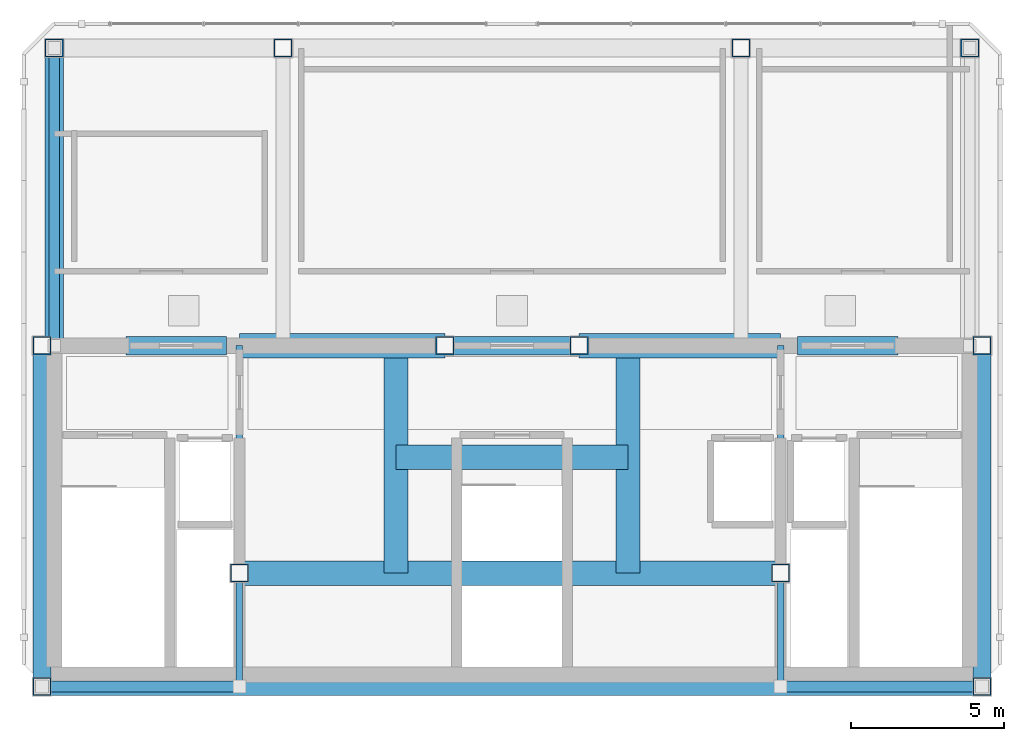
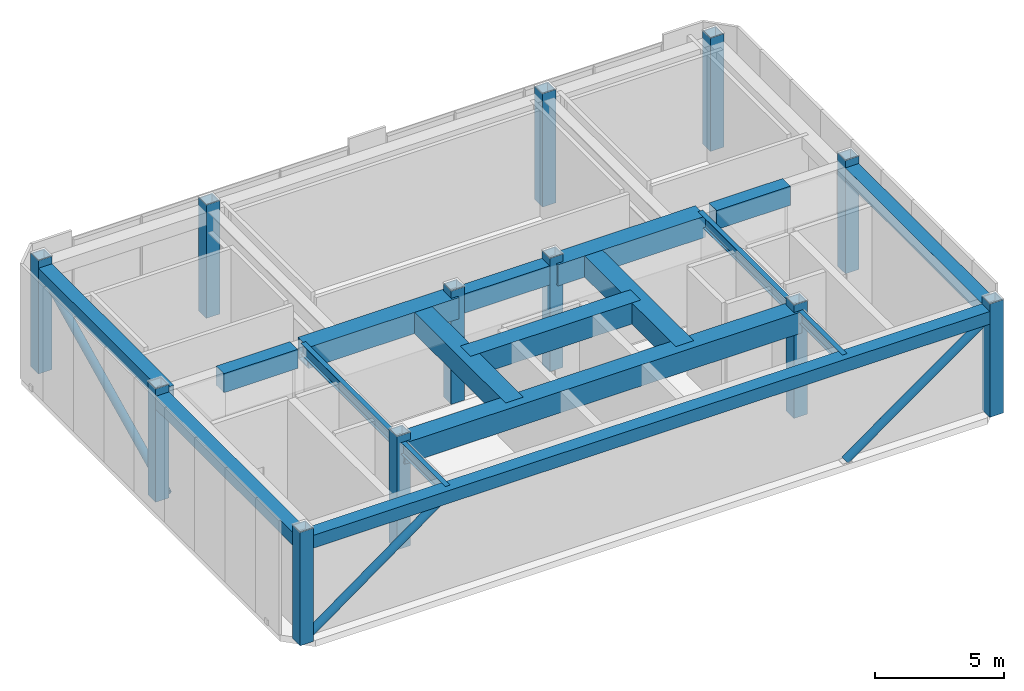
# One storey, part 1 of 9: 17 beams, 12 columns, 3 members.
"""IFC4 building model written with IfcOpenShell, lengths in metres."""

from ifc_helpers import new_model, si_unit, direction, frame, origin, origin_2d, place, context, subcontext, project, spatial, rectangle, hollow_rectangle, hollow_circle, i_section, extrude, material, material_profile, profile_set, type_object, element, save


model = new_model("IFC4")

# Units and contexts
model_context = context("Model", 3, precision=1e-05, world=origin(), true_north=direction((0.0, 1.0)))
body_context = subcontext(model_context, "Body", "Model", "MODEL_VIEW")
ifc_project = project(units=[si_unit("LENGTHUNIT", "METRE"), si_unit("AREAUNIT", "SQUARE_METRE"), si_unit("VOLUMEUNIT", "CUBIC_METRE"), si_unit("PLANEANGLEUNIT", "RADIAN"), si_unit("MASSUNIT", "GRAM", prefix="KILO")], contexts=[model_context])

# Site, building, storey
site_placement = place(None, origin())
site = spatial("IfcSite", under=ifc_project, at=site_placement, CompositionType="ELEMENT")
building_placement = place(site_placement, origin())
building = spatial("IfcBuilding", under=site, at=building_placement, Name="Ventersveld Concourse Tower", CompositionType="ELEMENT")
storey_placement = place(building_placement, frame((0.0, 0.0, 388.25)))
storey = spatial("IfcBuildingStorey", under=building, at=storey_placement, Name="L94", CompositionType="ELEMENT", Elevation=388.25)

# Columns
ifc_material_1 = material(Name="Structural steel S355ML", Category="steel")
ifc_material_profile_1 = material_profile(ifc_material_1, hollow_rectangle(XDim=0.60009765625, YDim=0.60009765625, WallThickness=0.0400390625, at=origin_2d()), Name="BOX 600x600x40")
ifc_profile_set_1 = profile_set([ifc_material_profile_1], Name="Structural steel S355ML")
column_type = type_object("IfcColumnType", Name="CF-POST-600", PredefinedType="USERDEFINED", material=ifc_profile_set_1)
for number, where, z_axis, x_axis, name in (
    (1, (13.35009765625, 0.280029296875, 0.0), (0.0, 0.0, 1.0), (1.0, 0.0, 0.0), "L94 Core Spine Column CC-SW"),
    (2, (44.14990234375, 0.280029296875, 0.0), (0.0, 0.0, 1.0), (1.0, 0.0, 0.0), "L94 Core Spine Column CC-SE"),
    (3, (13.35009765625, 11.449951171875, 0.0), (0.0, 0.0, 1.0), (1.0, 0.0, 0.0), "L94 Core Spine Column CC-NW"),
    (4, (44.14990234375, 11.449951171875, 0.0), (0.0, 0.0, 1.0), (1.0, 0.0, 0.0), "L94 Core Spine Column CC-NE"),
    (5, (19.820068359375, 4.0, 0.0), (0.0, 0.0, 1.0), (1.0, 0.0, 0.0), "L94 Core Spine Column CM-1"),
    (6, (37.550048828125, 4.0, 0.0), (0.0, 0.0, 1.0), (1.0, 0.0, 0.0), "L94 Core Spine Column CM-2"),
    (7, (26.550048828125, 11.449951171875, 0.0), (0.0, 0.0, 1.0), (1.0, 0.0, 0.0), "L94 Core Spine Column CM-3"),
    (8, (30.949951171875, 11.449951171875, 0.0), (0.0, 0.0, 1.0), (1.0, 0.0, 0.0), "L94 Core Spine Column CM-4"),
    (9, (13.75, 21.199951171875, 0.0), (0.0, 0.0, 1.0), (1.0, 0.0, 0.0), "L94 Crown Frame Structural Post CF-NW"),
    (10, (21.25, 21.199951171875, 0.0), (0.0, 0.0, 1.0), (1.0, 0.0, 0.0), "L94 Crown Frame Structural Post CF-NCW"),
    (11, (36.25, 21.199951171875, 0.0), (0.0, 0.0, 1.0), (1.0, 0.0, 0.0), "L94 Crown Frame Structural Post CF-NCE"),
    (12, (43.75, 21.199951171875, 0.0), (0.0, 0.0, 1.0), (1.0, 0.0, 0.0), "L94 Crown Frame Structural Post CF-NE"),
):
    element("IfcColumn", number, at=place(storey_placement, frame(where, z_axis=z_axis, x_axis=x_axis)), inside=storey, type_object=column_type, Name=name, ObjectType="CROWN_FRAME", PredefinedType="USERDEFINED", context=body_context, shape_type="SweptSolid", body=[
        extrude(hollow_rectangle(XDim=0.60009765625, YDim=0.60009765625, WallThickness=0.0400390625, at=origin_2d()), origin(), (0.0, 0.0, 1.0), 5.35009765625),
    ])

# Beams
ifc_material_2 = material(Name="Concrete C50/60", Category="concrete")
ifc_material_profile_2 = material_profile(ifc_material_2, rectangle(XDim=0.60009765625, YDim=0.89990234375, at=origin_2d()), Name="RC 600x900")
ifc_profile_set_2 = profile_set([ifc_material_profile_2], Name="Concrete C50/60")
beam_type_1 = type_object("IfcBeamType", Name="CB-RC600x900U", PredefinedType="LINTEL", material=ifc_profile_set_2)
beam_1_placement = place(storey_placement, frame((16.10009765625, 11.449951171875, 4.550048828125), z_axis=(1.0, 0.0, 0.0), x_axis=(0.0, 1.0, 0.0)))
element("IfcBeam", 13, at=beam_1_placement, inside=storey, type_object=beam_type_1, Name="L94 Core Coupling Lintel Beam 1", PredefinedType="LINTEL", context=body_context, shape_type="SweptSolid", body=[
    extrude(rectangle(XDim=0.60009765625, YDim=0.89990234375, at=origin_2d()), origin(), (0.0, 0.0, 1.0), 3.2998046875),
])
beam_2_placement = place(storey_placement, frame((26.5, 11.449951171875, 4.550048828125), z_axis=(1.0, 0.0, 0.0), x_axis=(0.0, 1.0, 0.0)))
element("IfcBeam", 14, at=beam_2_placement, inside=storey, type_object=beam_type_1, Name="L94 Core Coupling Lintel Beam 2", PredefinedType="LINTEL", context=body_context, shape_type="SweptSolid", body=[
    extrude(rectangle(XDim=0.60009765625, YDim=0.89990234375, at=origin_2d()), origin(), (0.0, 0.0, 1.0), 4.5),
])
beam_3_placement = place(storey_placement, frame((38.10009765625, 11.449951171875, 4.550048828125), z_axis=(1.0, 0.0, 0.0), x_axis=(0.0, 1.0, 0.0)))
element("IfcBeam", 15, at=beam_3_placement, inside=storey, type_object=beam_type_1, Name="L94 Core Coupling Lintel Beam 3", PredefinedType="LINTEL", context=body_context, shape_type="SweptSolid", body=[
    extrude(rectangle(XDim=0.60009765625, YDim=0.89990234375, at=origin_2d()), origin(), (0.0, 0.0, 1.0), 3.2998046875),
])

# Members
ifc_material_profile_3 = material_profile(ifc_material_1, hollow_circle(Radius=0.177734375, WallThickness=0.01611328125, at=origin_2d()), Name="CHS 355.6x16")
ifc_profile_set_3 = profile_set([ifc_material_profile_3], Name="Structural steel S355ML")
member_type = type_object("IfcMemberType", Name="CF-BR-355", PredefinedType="BRACE", material=ifc_profile_set_3)
member_1_placement = place(storey_placement, frame((13.35009765625, 0.280029296875, 0.0), z_axis=(0.809062047984, 0.0, 0.587723236321), x_axis=(0.0, 1.0, 0.0)))
element("IfcMember", 16, at=member_1_placement, inside=storey, type_object=member_type, Name="L94 CROWN FRAME Wind Brace 1", PredefinedType="BRACE", context=body_context, shape_type="SweptSolid", body=[
    extrude(hollow_circle(Radius=0.177734375, WallThickness=0.01611328125, at=origin_2d()), origin(), (0.0, 0.0, 1.0), 7.996826171875),
])
member_2_placement = place(storey_placement, frame((37.550048828125, 0.280029296875, 0.0), z_axis=(0.814563311204, 0.0, 0.580074660747), x_axis=(0.0, 1.0, 0.0)))
element("IfcMember", 17, at=member_2_placement, inside=storey, type_object=member_type, Name="L94 CROWN FRAME Wind Brace 2", PredefinedType="BRACE", context=body_context, shape_type="SweptSolid", body=[
    extrude(hollow_circle(Radius=0.177734375, WallThickness=0.01611328125, at=origin_2d()), origin(), (0.0, 0.0, 1.0), 8.102294921875),
])
member_3_placement = place(storey_placement, frame((13.75, 11.449951171875, 0.0), z_axis=(0.0, 0.900802714181, 0.434228592015), x_axis=(-1.0, 0.0, 0.0)))
element("IfcMember", 18, at=member_3_placement, inside=storey, type_object=member_type, Name="L94 CROWN FRAME Wind Brace 3", PredefinedType="BRACE", context=body_context, shape_type="SweptSolid", body=[
    extrude(hollow_circle(Radius=0.177734375, WallThickness=0.01611328125, at=origin_2d()), origin(), (0.0, 0.0, 1.0), 10.82373046875),
])

# Beams
ifc_material_3 = material(Name="Structural steel S355J2", Category="steel")
ifc_material_profile_4 = material_profile(ifc_material_3, i_section(OverallWidth=0.2119140625, OverallDepth=0.54443359375, WebThickness=0.0126953125, FlangeThickness=0.021240234375, FilletRadius=0.0126953125, at=origin_2d()), Name="UB 533x210x122")
ifc_profile_set_4 = profile_set([ifc_material_profile_4], Name="Structural steel S355J2")
beam_type_2 = type_object("IfcBeamType", Name="GRD-UB533H", PredefinedType="T_BEAM", material=ifc_profile_set_4)
beam_4_placement = place(storey_placement, frame((19.820068359375, 0.280029296875, 4.727783203125), z_axis=(0.0, 1.0, 0.0), x_axis=(-1.0, 0.0, 0.0)))
element("IfcBeam", 19, at=beam_4_placement, inside=storey, type_object=beam_type_2, Name="L94 Core Spine N-S Tie Beam W1", PredefinedType="T_BEAM", context=body_context, shape_type="SweptSolid", body=[
    extrude(i_section(OverallWidth=0.2119140625, OverallDepth=0.54443359375, WebThickness=0.0126953125, FlangeThickness=0.021240234375, FilletRadius=0.0126953125, at=origin_2d()), origin(), (0.0, 0.0, 1.0), 3.719970703125),
])
beam_5_placement = place(storey_placement, frame((19.820068359375, 4.0, 4.727783203125), z_axis=(0.0, 1.0, 0.0), x_axis=(-1.0, 0.0, 0.0)))
element("IfcBeam", 20, at=beam_5_placement, inside=storey, type_object=beam_type_2, Name="L94 Core Spine N-S Tie Beam W2", PredefinedType="T_BEAM", context=body_context, shape_type="SweptSolid", body=[
    extrude(i_section(OverallWidth=0.2119140625, OverallDepth=0.54443359375, WebThickness=0.0126953125, FlangeThickness=0.021240234375, FilletRadius=0.0126953125, at=origin_2d()), origin(), (0.0, 0.0, 1.0), 7.449951171875),
])
beam_6_placement = place(storey_placement, frame((37.550048828125, 0.280029296875, 4.727783203125), z_axis=(0.0, 1.0, 0.0), x_axis=(-1.0, 0.0, 0.0)))
element("IfcBeam", 21, at=beam_6_placement, inside=storey, type_object=beam_type_2, Name="L94 Core Spine N-S Tie Beam E1", PredefinedType="T_BEAM", context=body_context, shape_type="SweptSolid", body=[
    extrude(i_section(OverallWidth=0.2119140625, OverallDepth=0.54443359375, WebThickness=0.0126953125, FlangeThickness=0.021240234375, FilletRadius=0.0126953125, at=origin_2d()), origin(), (0.0, 0.0, 1.0), 3.719970703125),
])
beam_7_placement = place(storey_placement, frame((37.550048828125, 4.0, 4.727783203125), z_axis=(0.0, 1.0, 0.0), x_axis=(-1.0, 0.0, 0.0)))
element("IfcBeam", 22, at=beam_7_placement, inside=storey, type_object=beam_type_2, Name="L94 Core Spine N-S Tie Beam E2", PredefinedType="T_BEAM", context=body_context, shape_type="SweptSolid", body=[
    extrude(i_section(OverallWidth=0.2119140625, OverallDepth=0.54443359375, WebThickness=0.0126953125, FlangeThickness=0.021240234375, FilletRadius=0.0126953125, at=origin_2d()), origin(), (0.0, 0.0, 1.0), 7.449951171875),
])
ifc_material_profile_5 = material_profile(ifc_material_1, hollow_rectangle(XDim=0.60009765625, YDim=0.60009765625, WallThickness=0.0400390625, at=origin_2d()), Name="BOX 600x600x40")
ifc_profile_set_5 = profile_set([ifc_material_profile_5], Name="Structural steel S355ML")
beam_type_3 = type_object("IfcBeamType", Name="SPD-BOX600", PredefinedType="SPANDREL", material=ifc_profile_set_5)
beam_8_placement = place(storey_placement, frame((13.35009765625, 0.280029296875, 4.699951171875), z_axis=(1.0, 0.0, 0.0), x_axis=(0.0, 1.0, 0.0)))
element("IfcBeam", 23, at=beam_8_placement, inside=storey, type_object=beam_type_3, Name="L94 CROWN FRAME Perimeter Ring Beam 1", PredefinedType="SPANDREL", context=body_context, shape_type="SweptSolid", body=[
    extrude(hollow_rectangle(XDim=0.60009765625, YDim=0.60009765625, WallThickness=0.0400390625, at=origin_2d()), origin(), (0.0, 0.0, 1.0), 30.7998046875),
])
beam_9_placement = place(storey_placement, frame((44.14990234375, 0.280029296875, 4.699951171875), z_axis=(0.0, 1.0, 0.0), x_axis=(-1.0, 0.0, 0.0)))
element("IfcBeam", 24, at=beam_9_placement, inside=storey, type_object=beam_type_3, Name="L94 CROWN FRAME Perimeter Ring Beam 2", PredefinedType="SPANDREL", context=body_context, shape_type="SweptSolid", body=[
    extrude(hollow_rectangle(XDim=0.60009765625, YDim=0.60009765625, WallThickness=0.0400390625, at=origin_2d()), origin(), (0.0, 0.0, 1.0), 11.169921875),
])
beam_10_placement = place(storey_placement, frame((13.75, 21.199951171875, 4.699951171875), z_axis=(0.0, -1.0, 0.0), x_axis=(1.0, 0.0, 0.0)))
element("IfcBeam", 25, at=beam_10_placement, inside=storey, type_object=beam_type_3, Name="L94 CROWN FRAME Perimeter Ring Beam 7", PredefinedType="SPANDREL", context=body_context, shape_type="SweptSolid", body=[
    extrude(hollow_rectangle(XDim=0.60009765625, YDim=0.60009765625, WallThickness=0.0400390625, at=origin_2d()), origin(), (0.0, 0.0, 1.0), 9.75),
])
beam_11_placement = place(storey_placement, frame((13.35009765625, 11.449951171875, 4.699951171875), z_axis=(0.0, -1.0, 0.0), x_axis=(1.0, 0.0, 0.0)))
element("IfcBeam", 26, at=beam_11_placement, inside=storey, type_object=beam_type_3, Name="L94 CROWN FRAME Perimeter Ring Beam 8", PredefinedType="SPANDREL", context=body_context, shape_type="SweptSolid", body=[
    extrude(hollow_rectangle(XDim=0.60009765625, YDim=0.60009765625, WallThickness=0.0400390625, at=origin_2d()), origin(), (0.0, 0.0, 1.0), 11.169921875),
])
ifc_material_4 = material(Name="Structural steel S460ML", Category="steel")
ifc_material_profile_6 = material_profile(ifc_material_4, hollow_rectangle(XDim=0.800048828125, YDim=1.0, WallThickness=0.06494140625, at=origin_2d()), Name="BOX 1000x800x65")
ifc_profile_set_6 = profile_set([ifc_material_profile_6], Name="Structural steel S460ML")
beam_type_4 = type_object("IfcBeamType", Name="TG-BOX1000", PredefinedType="USERDEFINED", material=ifc_profile_set_6)
beam_12_placement = place(storey_placement, frame((19.820068359375, 11.449951171875, 4.5), z_axis=(1.0, 0.0, 0.0), x_axis=(0.0, 1.0, 0.0)))
element("IfcBeam", 27, at=beam_12_placement, inside=storey, type_object=beam_type_4, Name="L94 Mast North Grillage Beam W", ObjectType="TRANSFER_GIRDER", PredefinedType="USERDEFINED", context=body_context, shape_type="SweptSolid", body=[
    extrude(hollow_rectangle(XDim=0.800048828125, YDim=1.0, WallThickness=0.06494140625, at=origin_2d()), origin(), (0.0, 0.0, 1.0), 6.72998046875),
])
beam_13_placement = place(storey_placement, frame((30.949951171875, 11.449951171875, 4.5), z_axis=(1.0, 0.0, 0.0), x_axis=(0.0, 1.0, 0.0)))
element("IfcBeam", 28, at=beam_13_placement, inside=storey, type_object=beam_type_4, Name="L94 Mast North Grillage Beam E", ObjectType="TRANSFER_GIRDER", PredefinedType="USERDEFINED", context=body_context, shape_type="SweptSolid", body=[
    extrude(hollow_rectangle(XDim=0.800048828125, YDim=1.0, WallThickness=0.06494140625, at=origin_2d()), origin(), (0.0, 0.0, 1.0), 6.60009765625),
])
beam_14_placement = place(storey_placement, frame((19.820068359375, 4.0, 4.5), z_axis=(1.0, 0.0, 0.0), x_axis=(0.0, 1.0, 0.0)))
element("IfcBeam", 29, at=beam_14_placement, inside=storey, type_object=beam_type_4, Name="L94 Mast South Transfer Grillage", ObjectType="TRANSFER_GIRDER", PredefinedType="USERDEFINED", context=body_context, shape_type="SweptSolid", body=[
    extrude(hollow_rectangle(XDim=0.800048828125, YDim=1.0, WallThickness=0.06494140625, at=origin_2d()), origin(), (0.0, 0.0, 1.0), 17.72998046875),
])
for number, where, z_axis, x_axis, name in (
    (30, (24.949951171875, 4.0, 4.5), (0.0, 1.0, 0.0), (-1.0, 0.0, 0.0), "L94 Mast West Leg Grillage"),
    (31, (32.550048828125, 4.0, 4.5), (0.0, 1.0, 0.0), (-1.0, 0.0, 0.0), "L94 Mast East Leg Grillage"),
):
    element("IfcBeam", number, at=place(storey_placement, frame(where, z_axis=z_axis, x_axis=x_axis)), inside=storey, type_object=beam_type_4, Name=name, ObjectType="TRANSFER_GIRDER", PredefinedType="USERDEFINED", context=body_context, shape_type="SweptSolid", body=[
        extrude(hollow_rectangle(XDim=0.800048828125, YDim=1.0, WallThickness=0.06494140625, at=origin_2d()), origin(), (0.0, 0.0, 1.0), 7.449951171875),
    ])
beam_15_placement = place(storey_placement, frame((24.949951171875, 7.800048828125, 4.5), z_axis=(1.0, 0.0, 0.0), x_axis=(0.0, 1.0, 0.0)))
element("IfcBeam", 32, at=beam_15_placement, inside=storey, type_object=beam_type_4, Name="L94 Mast Spire Pole Centre Grillage", ObjectType="TRANSFER_GIRDER", PredefinedType="USERDEFINED", context=body_context, shape_type="SweptSolid", body=[
    extrude(hollow_rectangle(XDim=0.800048828125, YDim=1.0, WallThickness=0.06494140625, at=origin_2d()), origin(), (0.0, 0.0, 1.0), 7.60009765625),
])

save(model, "model.ifc")
